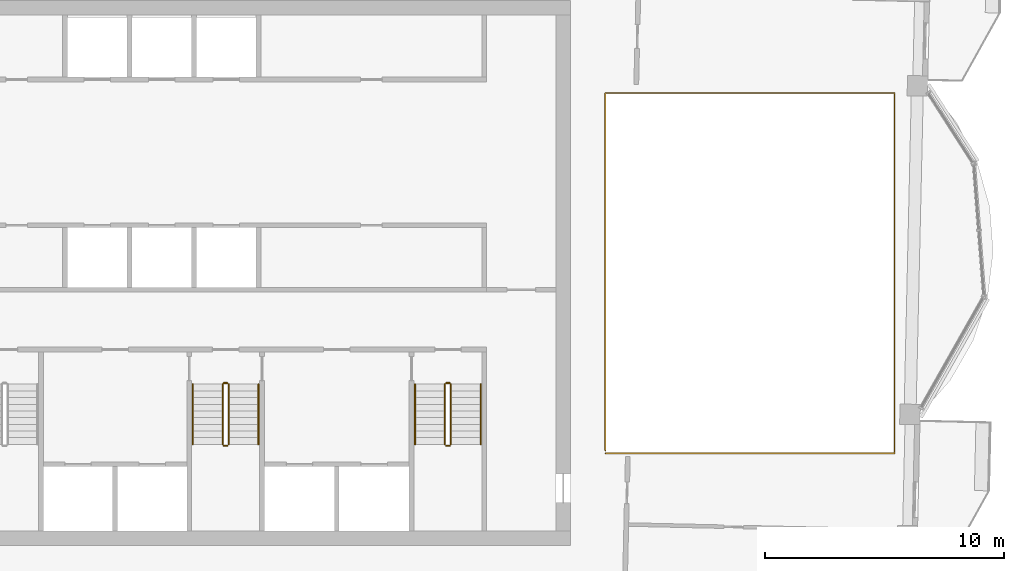
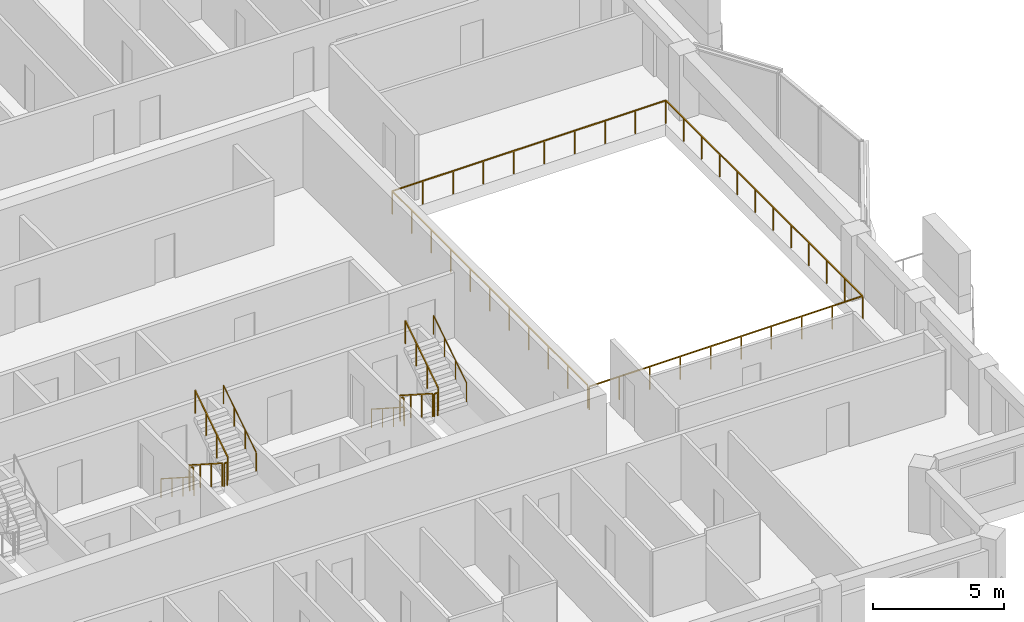
# One storey, part 14 of 15: 13 railings.
"""IFC4 building model written with IfcOpenShell, lengths in metres."""

from ifc_helpers import new_model, si_unit, direction, frame, origin, origin_2d, place, context, subcontext, project, spatial, rectangle, circle, extrude, material, type_object, element, save


model = new_model("IFC4")

# Units and contexts
model_context = context("Model", 3, precision=1e-05, world=origin(), true_north=direction((0.0, 1.0)))
body_context = subcontext(model_context, "Body", "Model", "MODEL_VIEW")
ifc_project = project(units=[si_unit("LENGTHUNIT", "METRE"), si_unit("AREAUNIT", "SQUARE_METRE"), si_unit("VOLUMEUNIT", "CUBIC_METRE"), si_unit("PLANEANGLEUNIT", "RADIAN"), si_unit("MASSUNIT", "GRAM", prefix="KILO")], contexts=[model_context])

# Site, building, storey
site_placement = place(None, origin())
site = spatial("IfcSite", under=ifc_project, at=site_placement, CompositionType="ELEMENT")
building_placement = place(site_placement, origin())
building = spatial("IfcBuilding", under=site, at=building_placement, Name="Mangrove Gate Tower", CompositionType="ELEMENT")
storey_placement = place(building_placement, frame((0.0, 0.0, 320.5)))
storey = spatial("IfcBuildingStorey", under=building, at=storey_placement, Name="L82", CompositionType="ELEMENT", Elevation=320.5)

# Railings
ifc_material_1 = material(Name="Stainless steel grade 316 with laminated glass infill", Category="steel")
railing_type_1 = type_object("IfcRailingType", Name="Balcony guard 1100", PredefinedType="GUARDRAIL", material=ifc_material_1)
railing_1_placement = place(storey_placement, frame((15.860107421875, -7.5400390625, 0.0)))
element("IfcRailing", 1, at=railing_1_placement, inside=storey, type_object=railing_type_1, Name="GUARD L82 atrium", PredefinedType="GUARDRAIL", context=body_context, shape_type="SweptSolid", body=[
    extrude(rectangle(XDim=0.048095703125, YDim=0.048095703125, at=origin_2d()), frame((0.0, 0.0, 1.076171875), z_axis=(1.0, 0.0, 0.0), x_axis=(0.0, 1.0, 0.0)), (0.0, 0.0, 1.0), 12.101806640625),
    extrude(rectangle(XDim=0.048095703125, YDim=0.048095703125, at=origin_2d()), frame((12.101806640625, 0.0, 1.076171875), z_axis=(0.0, 1.0, 0.0), x_axis=(-1.0, 0.0, 0.0)), (0.0, 0.0, 1.0), 15.080078125),
    extrude(rectangle(XDim=0.048095703125, YDim=0.048095703125, at=origin_2d()), frame((12.101806640625, 15.080078125, 1.076171875), z_axis=(-1.0, 0.0, 0.0), x_axis=(0.0, -1.0, 0.0)), (0.0, 0.0, 1.0), 12.101806640625),
    extrude(rectangle(XDim=0.048095703125, YDim=0.048095703125, at=origin_2d()), frame((0.0, 15.080078125, 1.076171875), z_axis=(0.0, -1.0, 0.0), x_axis=(1.0, 0.0, 0.0)), (0.0, 0.0, 1.0), 14.9599609375),
    extrude(rectangle(XDim=0.0419921875, YDim=0.0419921875, at=origin_2d()), origin(), (0.0, 0.0, 1.0), 1.052001953125),
    extrude(rectangle(XDim=0.0419921875, YDim=0.0419921875, at=origin_2d()), frame((1.3447265625, 0.0, 0.0)), (0.0, 0.0, 1.0), 1.052001953125),
    extrude(rectangle(XDim=0.0419921875, YDim=0.0419921875, at=origin_2d()), frame((2.689208984375, 0.0, 0.0)), (0.0, 0.0, 1.0), 1.052001953125),
    extrude(rectangle(XDim=0.0419921875, YDim=0.0419921875, at=origin_2d()), frame((4.033935546875, 0.0, 0.0)), (0.0, 0.0, 1.0), 1.052001953125),
    extrude(rectangle(XDim=0.0419921875, YDim=0.0419921875, at=origin_2d()), frame((5.378662109375, 0.0, 0.0)), (0.0, 0.0, 1.0), 1.052001953125),
    extrude(rectangle(XDim=0.0419921875, YDim=0.0419921875, at=origin_2d()), frame((6.72314453125, 0.0, 0.0)), (0.0, 0.0, 1.0), 1.052001953125),
    extrude(rectangle(XDim=0.0419921875, YDim=0.0419921875, at=origin_2d()), frame((8.06787109375, 0.0, 0.0)), (0.0, 0.0, 1.0), 1.052001953125),
    extrude(rectangle(XDim=0.0419921875, YDim=0.0419921875, at=origin_2d()), frame((9.41259765625, 0.0, 0.0)), (0.0, 0.0, 1.0), 1.052001953125),
    extrude(rectangle(XDim=0.0419921875, YDim=0.0419921875, at=origin_2d()), frame((10.757080078125, 0.0, 0.0)), (0.0, 0.0, 1.0), 1.052001953125),
    extrude(rectangle(XDim=0.0419921875, YDim=0.0419921875, at=origin_2d()), frame((12.101806640625, 0.0, 0.0)), (0.0, 0.0, 1.0), 1.052001953125),
    extrude(rectangle(XDim=0.0419921875, YDim=0.0419921875, at=origin_2d()), frame((12.101806640625, 1.370849609375, 0.0)), (0.0, 0.0, 1.0), 1.052001953125),
    extrude(rectangle(XDim=0.0419921875, YDim=0.0419921875, at=origin_2d()), frame((12.101806640625, 2.741943359375, 0.0)), (0.0, 0.0, 1.0), 1.052001953125),
    extrude(rectangle(XDim=0.0419921875, YDim=0.0419921875, at=origin_2d()), frame((12.101806640625, 4.11279296875, 0.0)), (0.0, 0.0, 1.0), 1.052001953125),
    extrude(rectangle(XDim=0.0419921875, YDim=0.0419921875, at=origin_2d()), frame((12.101806640625, 5.483642578125, 0.0)), (0.0, 0.0, 1.0), 1.052001953125),
    extrude(rectangle(XDim=0.0419921875, YDim=0.0419921875, at=origin_2d()), frame((12.101806640625, 6.8544921875, 0.0)), (0.0, 0.0, 1.0), 1.052001953125),
    extrude(rectangle(XDim=0.0419921875, YDim=0.0419921875, at=origin_2d()), frame((12.101806640625, 8.2255859375, 0.0)), (0.0, 0.0, 1.0), 1.052001953125),
    extrude(rectangle(XDim=0.0419921875, YDim=0.0419921875, at=origin_2d()), frame((12.101806640625, 9.596435546875, 0.0)), (0.0, 0.0, 1.0), 1.052001953125),
    extrude(rectangle(XDim=0.0419921875, YDim=0.0419921875, at=origin_2d()), frame((12.101806640625, 10.96728515625, 0.0)), (0.0, 0.0, 1.0), 1.052001953125),
    extrude(rectangle(XDim=0.0419921875, YDim=0.0419921875, at=origin_2d()), frame((12.101806640625, 12.338134765625, 0.0)), (0.0, 0.0, 1.0), 1.052001953125),
    extrude(rectangle(XDim=0.0419921875, YDim=0.0419921875, at=origin_2d()), frame((12.101806640625, 13.709228515625, 0.0)), (0.0, 0.0, 1.0), 1.052001953125),
    extrude(rectangle(XDim=0.0419921875, YDim=0.0419921875, at=origin_2d()), frame((12.101806640625, 15.080078125, 0.0)), (0.0, 0.0, 1.0), 1.052001953125),
    extrude(rectangle(XDim=0.0419921875, YDim=0.0419921875, at=origin_2d()), frame((10.757080078125, 15.080078125, 0.0)), (0.0, 0.0, 1.0), 1.052001953125),
    extrude(rectangle(XDim=0.0419921875, YDim=0.0419921875, at=origin_2d()), frame((9.41259765625, 15.080078125, 0.0)), (0.0, 0.0, 1.0), 1.052001953125),
    extrude(rectangle(XDim=0.0419921875, YDim=0.0419921875, at=origin_2d()), frame((8.06787109375, 15.080078125, 0.0)), (0.0, 0.0, 1.0), 1.052001953125),
    extrude(rectangle(XDim=0.0419921875, YDim=0.0419921875, at=origin_2d()), frame((6.72314453125, 15.080078125, 0.0)), (0.0, 0.0, 1.0), 1.052001953125),
    extrude(rectangle(XDim=0.0419921875, YDim=0.0419921875, at=origin_2d()), frame((5.378662109375, 15.080078125, 0.0)), (0.0, 0.0, 1.0), 1.052001953125),
    extrude(rectangle(XDim=0.0419921875, YDim=0.0419921875, at=origin_2d()), frame((4.033935546875, 15.080078125, 0.0)), (0.0, 0.0, 1.0), 1.052001953125),
    extrude(rectangle(XDim=0.0419921875, YDim=0.0419921875, at=origin_2d()), frame((2.689208984375, 15.080078125, 0.0)), (0.0, 0.0, 1.0), 1.052001953125),
    extrude(rectangle(XDim=0.0419921875, YDim=0.0419921875, at=origin_2d()), frame((1.3447265625, 15.080078125, 0.0)), (0.0, 0.0, 1.0), 1.052001953125),
    extrude(rectangle(XDim=0.0419921875, YDim=0.0419921875, at=origin_2d()), frame((0.0, 15.080078125, 0.0)), (0.0, 0.0, 1.0), 1.052001953125),
    extrude(rectangle(XDim=0.0419921875, YDim=0.0419921875, at=origin_2d()), frame((0.0, 13.583984375, 0.0)), (0.0, 0.0, 1.0), 1.052001953125),
    extrude(rectangle(XDim=0.0419921875, YDim=0.0419921875, at=origin_2d()), frame((0.0, 12.088134765625, 0.0)), (0.0, 0.0, 1.0), 1.052001953125),
    extrude(rectangle(XDim=0.0419921875, YDim=0.0419921875, at=origin_2d()), frame((0.0, 10.592041015625, 0.0)), (0.0, 0.0, 1.0), 1.052001953125),
    extrude(rectangle(XDim=0.0419921875, YDim=0.0419921875, at=origin_2d()), frame((0.0, 9.09619140625, 0.0)), (0.0, 0.0, 1.0), 1.052001953125),
    extrude(rectangle(XDim=0.0419921875, YDim=0.0419921875, at=origin_2d()), frame((0.0, 7.60009765625, 0.0)), (0.0, 0.0, 1.0), 1.052001953125),
    extrude(rectangle(XDim=0.0419921875, YDim=0.0419921875, at=origin_2d()), frame((0.0, 6.10400390625, 0.0)), (0.0, 0.0, 1.0), 1.052001953125),
    extrude(rectangle(XDim=0.0419921875, YDim=0.0419921875, at=origin_2d()), frame((0.0, 4.608154296875, 0.0)), (0.0, 0.0, 1.0), 1.052001953125),
    extrude(rectangle(XDim=0.0419921875, YDim=0.0419921875, at=origin_2d()), frame((0.0, 3.112060546875, 0.0)), (0.0, 0.0, 1.0), 1.052001953125),
    extrude(rectangle(XDim=0.0419921875, YDim=0.0419921875, at=origin_2d()), frame((0.0, 1.6162109375, 0.0)), (0.0, 0.0, 1.0), 1.052001953125),
    extrude(rectangle(XDim=0.0419921875, YDim=0.0419921875, at=origin_2d()), frame((0.0, 0.1201171875, 0.0)), (0.0, 0.0, 1.0), 1.052001953125),
])
ifc_material_2 = material(Name="Stainless steel 316", Category="steel")
railing_type_2 = type_object("IfcRailingType", Name="Core stair guard 1100", PredefinedType="GUARDRAIL", material=ifc_material_2)
railing_2_placement = place(storey_placement, frame((-0.14990234375, -4.64990234375, 0.179931640625)))
element("IfcRailing", 2, at=railing_2_placement, inside=storey, type_object=railing_type_2, Name="L82 ST2 stair guard 1", PredefinedType="GUARDRAIL", context=body_context, shape_type="SweptSolid", body=[
    extrude(rectangle(XDim=0.048095703125, YDim=0.048095703125, at=origin_2d()), frame((0.0, 0.0, 1.076171875), z_axis=(0.0, -0.841162588446, 0.540782303519), x_axis=(1.0, 0.0, 0.0)), (0.0, 0.0, 1.0), 2.995849609375),
    extrude(rectangle(XDim=0.0419921875, YDim=0.0419921875, at=origin_2d()), origin(), (0.0, 0.0, 1.0), 1.052001953125),
    extrude(rectangle(XDim=0.0419921875, YDim=0.0419921875, at=origin_2d()), frame((0.0, -0.840087890625, 0.5400390625)), (0.0, 0.0, 1.0), 1.052001953125),
    extrude(rectangle(XDim=0.0419921875, YDim=0.0419921875, at=origin_2d()), frame((0.0, -1.679931640625, 1.080078125)), (0.0, 0.0, 1.0), 1.052001953125),
    extrude(rectangle(XDim=0.0419921875, YDim=0.0419921875, at=origin_2d()), frame((0.0, -2.52001953125, 1.6201171875)), (0.0, 0.0, 1.0), 1.052001953125),
])
railing_3_placement = place(storey_placement, frame((-0.10009765625, -7.219970703125, 1.800048828125)))
element("IfcRailing", 3, at=railing_3_placement, inside=storey, type_object=railing_type_2, Name="L82 ST2 stair guard 2", PredefinedType="GUARDRAIL", context=body_context, shape_type="SweptSolid", body=[
    extrude(rectangle(XDim=0.048095703125, YDim=0.048095703125, at=origin_2d()), frame((0.0, 0.0, 1.076171875), z_axis=(1.0, 0.0, 0.0), x_axis=(0.0, 1.0, 0.0)), (0.0, 0.0, 1.0), 0.150146484375),
    extrude(rectangle(XDim=0.0419921875, YDim=0.0419921875, at=origin_2d()), origin(), (0.0, 0.0, 1.0), 1.052001953125),
    extrude(rectangle(XDim=0.0419921875, YDim=0.0419921875, at=origin_2d()), frame((0.150146484375, 0.0, 0.0)), (0.0, 0.0, 1.0), 1.052001953125),
])
railing_4_placement = place(storey_placement, frame((0.10009765625, -7.169921875, 1.97998046875)))
element("IfcRailing", 4, at=railing_4_placement, inside=storey, type_object=railing_type_2, Name="L82 ST2 stair guard 3", PredefinedType="GUARDRAIL", context=body_context, shape_type="SweptSolid", body=[
    extrude(rectangle(XDim=0.048095703125, YDim=0.048095703125, at=origin_2d()), frame((0.0, 0.0, 1.076171875), z_axis=(0.0, 0.841162588446, 0.540782303519), x_axis=(-1.0, 0.0, 0.0)), (0.0, 0.0, 1.0), 2.995849609375),
    extrude(rectangle(XDim=0.0419921875, YDim=0.0419921875, at=origin_2d()), origin(), (0.0, 0.0, 1.0), 1.052001953125),
    extrude(rectangle(XDim=0.0419921875, YDim=0.0419921875, at=origin_2d()), frame((0.0, 0.840087890625, 0.5400390625)), (0.0, 0.0, 1.0), 1.052001953125),
    extrude(rectangle(XDim=0.0419921875, YDim=0.0419921875, at=origin_2d()), frame((0.0, 1.679931640625, 1.080078125)), (0.0, 0.0, 1.0), 1.052001953125),
    extrude(rectangle(XDim=0.0419921875, YDim=0.0419921875, at=origin_2d()), frame((0.0, 2.52001953125, 1.6201171875)), (0.0, 0.0, 1.0), 1.052001953125),
])
railing_5_placement = place(storey_placement, frame((-0.10009765625, -4.60009765625, 0.0)))
element("IfcRailing", 5, at=railing_5_placement, inside=storey, type_object=railing_type_2, Name="L82 ST2 stair guard 4", PredefinedType="GUARDRAIL", context=body_context, shape_type="SweptSolid", body=[
    extrude(rectangle(XDim=0.048095703125, YDim=0.048095703125, at=origin_2d()), frame((0.0, 0.0, 1.076171875), z_axis=(1.0, 0.0, 0.0), x_axis=(0.0, 1.0, 0.0)), (0.0, 0.0, 1.0), 0.150146484375),
    extrude(rectangle(XDim=0.0419921875, YDim=0.0419921875, at=origin_2d()), origin(), (0.0, 0.0, 1.0), 1.052001953125),
    extrude(rectangle(XDim=0.0419921875, YDim=0.0419921875, at=origin_2d()), frame((0.150146484375, 0.0, 0.0)), (0.0, 0.0, 1.0), 1.052001953125),
])
railing_6_placement = place(storey_placement, frame((9.14990234375, -4.64990234375, 0.179931640625)))
element("IfcRailing", 6, at=railing_6_placement, inside=storey, type_object=railing_type_2, Name="L82 ST3 stair guard 1", PredefinedType="GUARDRAIL", context=body_context, shape_type="SweptSolid", body=[
    extrude(rectangle(XDim=0.048095703125, YDim=0.048095703125, at=origin_2d()), frame((0.0, 0.0, 1.076171875), z_axis=(0.0, -0.841162588446, 0.540782303519), x_axis=(1.0, 0.0, 0.0)), (0.0, 0.0, 1.0), 2.995849609375),
    extrude(rectangle(XDim=0.0419921875, YDim=0.0419921875, at=origin_2d()), origin(), (0.0, 0.0, 1.0), 1.052001953125),
    extrude(rectangle(XDim=0.0419921875, YDim=0.0419921875, at=origin_2d()), frame((0.0, -0.840087890625, 0.5400390625)), (0.0, 0.0, 1.0), 1.052001953125),
    extrude(rectangle(XDim=0.0419921875, YDim=0.0419921875, at=origin_2d()), frame((0.0, -1.679931640625, 1.080078125)), (0.0, 0.0, 1.0), 1.052001953125),
    extrude(rectangle(XDim=0.0419921875, YDim=0.0419921875, at=origin_2d()), frame((0.0, -2.52001953125, 1.6201171875)), (0.0, 0.0, 1.0), 1.052001953125),
])
railing_7_placement = place(storey_placement, frame((9.199951171875, -7.219970703125, 1.800048828125)))
element("IfcRailing", 7, at=railing_7_placement, inside=storey, type_object=railing_type_2, Name="L82 ST3 stair guard 2", PredefinedType="GUARDRAIL", context=body_context, shape_type="SweptSolid", body=[
    extrude(rectangle(XDim=0.048095703125, YDim=0.048095703125, at=origin_2d()), frame((0.0, 0.0, 1.076171875), z_axis=(1.0, 0.0, 0.0), x_axis=(0.0, 1.0, 0.0)), (0.0, 0.0, 1.0), 0.150146484375),
    extrude(rectangle(XDim=0.0419921875, YDim=0.0419921875, at=origin_2d()), origin(), (0.0, 0.0, 1.0), 1.052001953125),
    extrude(rectangle(XDim=0.0419921875, YDim=0.0419921875, at=origin_2d()), frame((0.150146484375, 0.0, 0.0)), (0.0, 0.0, 1.0), 1.052001953125),
])
railing_8_placement = place(storey_placement, frame((9.39990234375, -7.169921875, 1.97998046875)))
element("IfcRailing", 8, at=railing_8_placement, inside=storey, type_object=railing_type_2, Name="L82 ST3 stair guard 3", PredefinedType="GUARDRAIL", context=body_context, shape_type="SweptSolid", body=[
    extrude(rectangle(XDim=0.048095703125, YDim=0.048095703125, at=origin_2d()), frame((0.0, 0.0, 1.076171875), z_axis=(0.0, 0.841162588446, 0.540782303519), x_axis=(-1.0, 0.0, 0.0)), (0.0, 0.0, 1.0), 2.995849609375),
    extrude(rectangle(XDim=0.0419921875, YDim=0.0419921875, at=origin_2d()), origin(), (0.0, 0.0, 1.0), 1.052001953125),
    extrude(rectangle(XDim=0.0419921875, YDim=0.0419921875, at=origin_2d()), frame((0.0, 0.840087890625, 0.5400390625)), (0.0, 0.0, 1.0), 1.052001953125),
    extrude(rectangle(XDim=0.0419921875, YDim=0.0419921875, at=origin_2d()), frame((0.0, 1.679931640625, 1.080078125)), (0.0, 0.0, 1.0), 1.052001953125),
    extrude(rectangle(XDim=0.0419921875, YDim=0.0419921875, at=origin_2d()), frame((0.0, 2.52001953125, 1.6201171875)), (0.0, 0.0, 1.0), 1.052001953125),
])
railing_9_placement = place(storey_placement, frame((9.199951171875, -4.60009765625, 0.0)))
element("IfcRailing", 9, at=railing_9_placement, inside=storey, type_object=railing_type_2, Name="L82 ST3 stair guard 4", PredefinedType="GUARDRAIL", context=body_context, shape_type="SweptSolid", body=[
    extrude(rectangle(XDim=0.048095703125, YDim=0.048095703125, at=origin_2d()), frame((0.0, 0.0, 1.076171875), z_axis=(1.0, 0.0, 0.0), x_axis=(0.0, 1.0, 0.0)), (0.0, 0.0, 1.0), 0.150146484375),
    extrude(rectangle(XDim=0.0419921875, YDim=0.0419921875, at=origin_2d()), origin(), (0.0, 0.0, 1.0), 1.052001953125),
    extrude(rectangle(XDim=0.0419921875, YDim=0.0419921875, at=origin_2d()), frame((0.150146484375, 0.0, 0.0)), (0.0, 0.0, 1.0), 1.052001953125),
])
ifc_material_3 = material(Name="Stainless steel 316", Category="steel")
railing_type_3 = type_object("IfcRailingType", Name="Core stair handrail 900", PredefinedType="HANDRAIL", material=ifc_material_3)
railing_10_placement = place(storey_placement, frame((-1.39990234375, -4.64990234375, 0.179931640625)))
element("IfcRailing", 10, at=railing_10_placement, inside=storey, type_object=railing_type_3, Name="L82 ST2 stair handrail 1", PredefinedType="HANDRAIL", context=body_context, shape_type="SweptSolid", body=[
    extrude(circle(Radius=0.02392578125, at=origin_2d()), frame((0.0, 0.0, 0.8759765625), z_axis=(0.0, -0.841162588446, 0.540782303519), x_axis=(1.0, 0.0, 0.0)), (0.0, 0.0, 1.0), 2.995849609375),
    extrude(circle(Radius=0.02099609375, at=origin_2d()), origin(), (0.0, 0.0, 1.0), 0.851806640625),
    extrude(circle(Radius=0.02099609375, at=origin_2d()), frame((0.0, -0.840087890625, 0.5400390625)), (0.0, 0.0, 1.0), 0.851806640625),
    extrude(circle(Radius=0.02099609375, at=origin_2d()), frame((0.0, -1.679931640625, 1.080078125)), (0.0, 0.0, 1.0), 0.851806640625),
    extrude(circle(Radius=0.02099609375, at=origin_2d()), frame((0.0, -2.52001953125, 1.6201171875)), (0.0, 0.0, 1.0), 0.851806640625),
])
railing_11_placement = place(storey_placement, frame((1.35009765625, -7.169921875, 1.97998046875)))
element("IfcRailing", 11, at=railing_11_placement, inside=storey, type_object=railing_type_3, Name="L82 ST2 stair handrail 2", PredefinedType="HANDRAIL", context=body_context, shape_type="SweptSolid", body=[
    extrude(circle(Radius=0.02392578125, at=origin_2d()), frame((0.0, 0.0, 0.8759765625), z_axis=(0.0, 0.841162588446, 0.540782303519), x_axis=(-1.0, 0.0, 0.0)), (0.0, 0.0, 1.0), 2.995849609375),
    extrude(circle(Radius=0.02099609375, at=origin_2d()), origin(), (0.0, 0.0, 1.0), 0.851806640625),
    extrude(circle(Radius=0.02099609375, at=origin_2d()), frame((0.0, 0.840087890625, 0.5400390625)), (0.0, 0.0, 1.0), 0.851806640625),
    extrude(circle(Radius=0.02099609375, at=origin_2d()), frame((0.0, 1.679931640625, 1.080078125)), (0.0, 0.0, 1.0), 0.851806640625),
    extrude(circle(Radius=0.02099609375, at=origin_2d()), frame((0.0, 2.52001953125, 1.6201171875)), (0.0, 0.0, 1.0), 0.851806640625),
])
railing_12_placement = place(storey_placement, frame((7.89990234375, -4.64990234375, 0.179931640625)))
element("IfcRailing", 12, at=railing_12_placement, inside=storey, type_object=railing_type_3, Name="L82 ST3 stair handrail 1", PredefinedType="HANDRAIL", context=body_context, shape_type="SweptSolid", body=[
    extrude(circle(Radius=0.02392578125, at=origin_2d()), frame((0.0, 0.0, 0.8759765625), z_axis=(0.0, -0.841162588446, 0.540782303519), x_axis=(1.0, 0.0, 0.0)), (0.0, 0.0, 1.0), 2.995849609375),
    extrude(circle(Radius=0.02099609375, at=origin_2d()), origin(), (0.0, 0.0, 1.0), 0.851806640625),
    extrude(circle(Radius=0.02099609375, at=origin_2d()), frame((0.0, -0.840087890625, 0.5400390625)), (0.0, 0.0, 1.0), 0.851806640625),
    extrude(circle(Radius=0.02099609375, at=origin_2d()), frame((0.0, -1.679931640625, 1.080078125)), (0.0, 0.0, 1.0), 0.851806640625),
    extrude(circle(Radius=0.02099609375, at=origin_2d()), frame((0.0, -2.52001953125, 1.6201171875)), (0.0, 0.0, 1.0), 0.851806640625),
])
railing_13_placement = place(storey_placement, frame((10.64990234375, -7.169921875, 1.97998046875)))
element("IfcRailing", 13, at=railing_13_placement, inside=storey, type_object=railing_type_3, Name="L82 ST3 stair handrail 2", PredefinedType="HANDRAIL", context=body_context, shape_type="SweptSolid", body=[
    extrude(circle(Radius=0.02392578125, at=origin_2d()), frame((0.0, 0.0, 0.8759765625), z_axis=(0.0, 0.841162588446, 0.540782303519), x_axis=(-1.0, 0.0, 0.0)), (0.0, 0.0, 1.0), 2.995849609375),
    extrude(circle(Radius=0.02099609375, at=origin_2d()), origin(), (0.0, 0.0, 1.0), 0.851806640625),
    extrude(circle(Radius=0.02099609375, at=origin_2d()), frame((0.0, 0.840087890625, 0.5400390625)), (0.0, 0.0, 1.0), 0.851806640625),
    extrude(circle(Radius=0.02099609375, at=origin_2d()), frame((0.0, 1.679931640625, 1.080078125)), (0.0, 0.0, 1.0), 0.851806640625),
    extrude(circle(Radius=0.02099609375, at=origin_2d()), frame((0.0, 2.52001953125, 1.6201171875)), (0.0, 0.0, 1.0), 0.851806640625),
])

save(model, "model.ifc")
